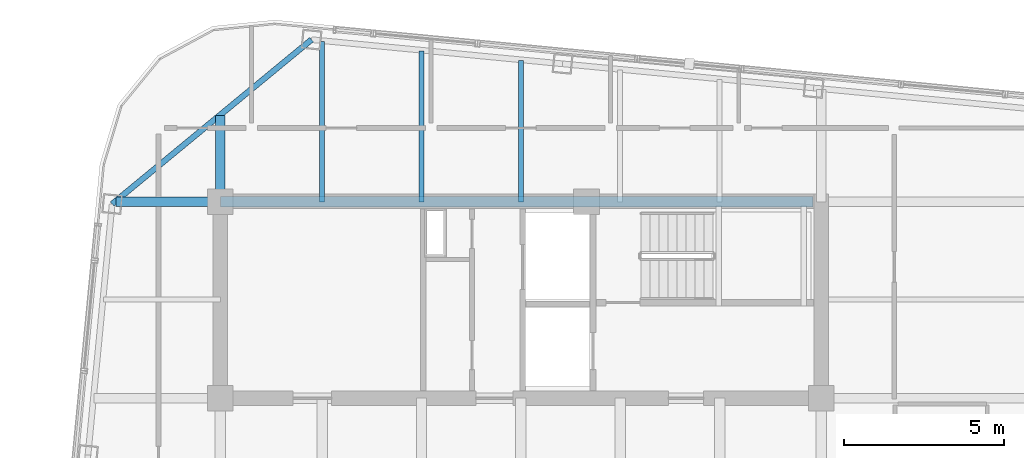
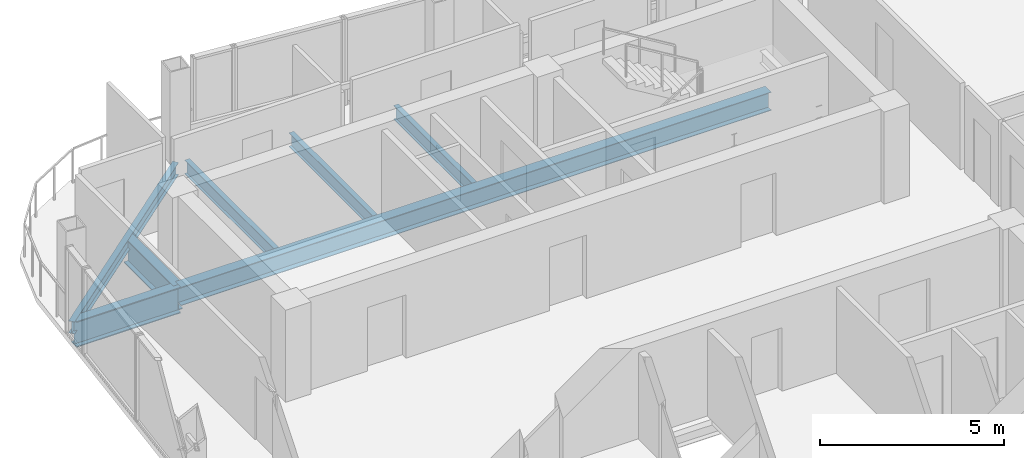
# One storey, part 16 of 27: 7 beams.
"""IFC4 building model written with IfcOpenShell, lengths in metres."""

import ifcopenshell
import ifcopenshell.guid

model = None  # the IFC model being written
_history = None  # IfcOwnerHistory: only IFC2X3 demands one
_inside = {}  # id of a spatial element -> (the spatial element, [elements in it])
_under = {}  # id of a project, library or spatial element -> (it, [spatial elements below it])
_declared = {}  # id of a project -> (the project, [libraries it declares])
_typed = {}  # id of a type object -> (the type object, [elements of that type])
_made_of = {}  # id of a material, layer set ... -> (it, [elements and type objects made of it])


def new_model(schema):
    """Start an empty IFC model of exactly this schema.

    Asked for "IFC4X3", IfcOpenShell would pick the latest addendum, in which some entities
    have other attributes; the version numbers below select the first issue.
    IFC2X3 requires an IfcOwnerHistory on every rooted entity: one is made here for all.
    """
    global model, _history
    if schema == "IFC4X3":
        model = ifcopenshell.file(schema_version=(4, 3, 0, 0))
    else:
        model = ifcopenshell.file(schema=schema)
    _inside.clear()
    _under.clear()
    _declared.clear()
    _typed.clear()
    _made_of.clear()
    _history = None
    if model.schema == "IFC2X3":
        org = make("IfcOrganization", Name="unknown")
        user = make(
            "IfcPersonAndOrganization",
            ThePerson=make("IfcPerson", FamilyName="unknown"),
            TheOrganization=org,
        )
        app = make(
            "IfcApplication",
            ApplicationDeveloper=org,
            Version="unknown",
            ApplicationFullName="unknown",
            ApplicationIdentifier="unknown",
        )
        _history = make(
            "IfcOwnerHistory",
            OwningUser=user,
            OwningApplication=app,
            ChangeAction="ADDED",
            CreationDate=0,
        )
    return model


def make(cls, **values):
    """One entity of the class cls with the attributes given. An attribute that is None is left unset."""
    return model.create_entity(
        cls, **{name: value for name, value in values.items() if value is not None}
    )


def rooted(cls, **values):
    """An entity with a GlobalId (a new one), such as an element, a storey or a relation."""
    return make(cls, GlobalId=ifcopenshell.guid.new(), OwnerHistory=_history, **values)


def si_unit(unit_type, name, prefix=None):
    """IfcSIUnit, for example si_unit("LENGTHUNIT", "METRE", prefix="MILLI")."""
    return make("IfcSIUnit", UnitType=unit_type, Prefix=prefix, Name=name)


def assignment(units):
    """IfcUnitAssignment: the units of a project."""
    return None if units is None else make("IfcUnitAssignment", Units=units)


def point(xyz):
    """IfcCartesianPoint."""
    return None if xyz is None else make("IfcCartesianPoint", Coordinates=xyz)


def direction(xyz):
    """IfcDirection."""
    return None if xyz is None else make("IfcDirection", DirectionRatios=xyz)


def frame(location, z_axis=None, x_axis=None):
    """IfcAxis2Placement3D, a coordinate frame: its origin and axes. An axis left out is left unset."""
    return make(
        "IfcAxis2Placement3D",
        Location=point(location),
        Axis=direction(z_axis),
        RefDirection=direction(x_axis),
    )


def frame_2d(location, x_axis=None):
    """IfcAxis2Placement2D, a coordinate frame in the plane: its origin and x axis."""
    return make(
        "IfcAxis2Placement2D", Location=point(location), RefDirection=direction(x_axis)
    )


def origin():
    """The frame at (0, 0, 0) with its axes left unset."""
    return frame((0.0, 0.0, 0.0))


def origin_2d():
    """The frame at (0, 0) in the plane with its x axis left unset."""
    return frame_2d((0.0, 0.0))


def place(relative_to, where):
    """IfcLocalPlacement: puts the frame where relative to a parent placement (None: the world)."""
    return make(
        "IfcLocalPlacement", PlacementRelTo=relative_to, RelativePlacement=where
    )


def context(
    kind, dimensions, precision=None, world=None, true_north=None, identifier=None
):
    """IfcGeometricRepresentationContext, for example the 3D "Model" context."""
    return make(
        "IfcGeometricRepresentationContext",
        ContextIdentifier=identifier,
        ContextType=kind,
        CoordinateSpaceDimension=dimensions,
        Precision=precision,
        WorldCoordinateSystem=world,
        TrueNorth=true_north,
    )


def subcontext(parent, identifier, kind, view, scale=None):
    """IfcGeometricRepresentationSubContext, for example "Body" below "Model"."""
    return make(
        "IfcGeometricRepresentationSubContext",
        ContextIdentifier=identifier,
        ContextType=kind,
        ParentContext=parent,
        TargetScale=scale,
        TargetView=view,
    )


def project(units=None, contexts=None):
    """IfcProject with its units and contexts."""
    return rooted(
        "IfcProject",
        Name="project",
        RepresentationContexts=contexts,
        UnitsInContext=assignment(units),
    )


def spatial(cls, under=None, at=None, **own):
    """A site, building, storey or space (cls), placed at a placement, below another one or the project."""
    s = rooted(cls, ObjectPlacement=at, **own)
    if under is not None:
        _under.setdefault(under.id(), (under, []))[1].append(s)
    return s


def profile(cls, at=None, kind="AREA", **sizes):
    """A parametric profile (cls). Its sizes go by their IFC names, for example OverallWidth=200.0."""
    return make(cls, ProfileType=kind, Position=at, **sizes)


def i_section(**sizes):
    """IfcIShapeProfileDef."""
    return profile("IfcIShapeProfileDef", **sizes)


def extrude(swept, where, along, depth):
    """IfcExtrudedAreaSolid: the profile swept, set in the frame where, extruded along a direction by depth."""
    return make(
        "IfcExtrudedAreaSolid",
        SweptArea=swept,
        Position=where,
        ExtrudedDirection=direction(along),
        Depth=depth,
    )


def shape(context_of_items, identifier, shape_type, items):
    """IfcShapeRepresentation: the items that make up one representation, for example the "Body"."""
    return make(
        "IfcShapeRepresentation",
        ContextOfItems=context_of_items,
        RepresentationIdentifier=identifier,
        RepresentationType=shape_type,
        Items=items,
    )


def material(Name=None, Category=None):
    """IfcMaterial."""
    return make("IfcMaterial", Name=Name, Category=Category)


def material_profile(
    of_material, cross_section, Name=None, Category=None, Priority=None
):
    """IfcMaterialProfile: a cross section and its material."""
    return make(
        "IfcMaterialProfile",
        Name=Name,
        Material=of_material,
        Profile=cross_section,
        Priority=Priority,
        Category=Category,
    )


def profile_set(profiles, Name=None, composite=None):
    """IfcMaterialProfileSet."""
    return make(
        "IfcMaterialProfileSet",
        Name=Name,
        MaterialProfiles=profiles,
        CompositeProfile=composite,
    )


def made_of(thing, what):
    """Note that an element or type object is made of a material, layer set ...; save() writes the relation."""
    if what is not None:
        _made_of.setdefault(what.id(), (what, []))[1].append(thing)
    return thing


def type_object(cls, material=None, **own):
    """A type object (cls), such as IfcWallType, which elements share."""
    return made_of(rooted(cls, **own), material)


def element(
    cls,
    number,
    at=None,
    inside=None,
    cuts=None,
    type_object=None,
    material=None,
    context=None,
    identifier="Body",
    shape_type=None,
    held_by="IfcProductDefinitionShape",
    body=None,
    shapes=None,
    **own,
):
    """One element of the class cls, such as IfcWall. Its Tag is "e" and its number.

    at: its placement. inside: the storey or other place that contains it. cuts: it is an
    opening in that element (IfcRelVoidsElement). A single representation is given by context,
    identifier, shape_type and body (its items); several are given by shapes. held_by: the class
    of the entity that holds the representations. save() writes the other relations.
    """
    e = rooted(cls, Tag="e%d" % number, ObjectPlacement=at, **own)
    if body is not None:
        shapes = [shape(context, identifier, shape_type, body)]
    if shapes is not None:
        e.Representation = make(held_by, Representations=shapes)
    if inside is not None:
        _inside.setdefault(inside.id(), (inside, []))[1].append(e)
    if cuts is not None:
        rooted(
            "IfcRelVoidsElement", RelatingBuildingElement=cuts, RelatedOpeningElement=e
        )
    if type_object is not None:
        _typed.setdefault(type_object.id(), (type_object, []))[1].append(e)
    return made_of(e, material)


def aggregate(whole, parts):
    """IfcRelAggregates: a whole, such as a stair, and the parts it consists of."""
    return rooted("IfcRelAggregates", RelatingObject=whole, RelatedObjects=parts)


def save(model, path):
    """Write the relations noted so far, then the file.

    IfcRelAggregates (storeys below a building ...), IfcRelContainedInSpatialStructure (elements
    in a storey), IfcRelDefinesByType, IfcRelAssociatesMaterial and IfcRelDeclares: one each for
    every whole, place, type object, material and project.
    """
    for whole, parts in _under.values():
        aggregate(whole, parts)
    for where, things in _inside.values():
        rooted(
            "IfcRelContainedInSpatialStructure",
            RelatedElements=things,
            RelatingStructure=where,
        )
    for kind, things in _typed.values():
        rooted("IfcRelDefinesByType", RelatedObjects=things, RelatingType=kind)
    for what, things in _made_of.values():
        rooted("IfcRelAssociatesMaterial", RelatedObjects=things, RelatingMaterial=what)
    for by, libraries in _declared.values():
        rooted("IfcRelDeclares", RelatingContext=by, RelatedDefinitions=libraries)
    model.write(path)


model = new_model("IFC4")

# Units and contexts
model_context = context("Model", 3, precision=1e-05, world=origin(), true_north=direction((0.0, 1.0)))
body_context = subcontext(model_context, "Body", "Model", "MODEL_VIEW")
ifc_project = project(units=[si_unit("LENGTHUNIT", "METRE"), si_unit("AREAUNIT", "SQUARE_METRE"), si_unit("VOLUMEUNIT", "CUBIC_METRE"), si_unit("PLANEANGLEUNIT", "RADIAN"), si_unit("MASSUNIT", "GRAM", prefix="KILO")], contexts=[model_context])

# Site, building, storey
site_placement = place(None, origin())
site = spatial("IfcSite", under=ifc_project, at=site_placement, CompositionType="ELEMENT")
building_placement = place(site_placement, origin())
building = spatial("IfcBuilding", under=site, at=building_placement, Name="Qhalaya Broadcast Tower", CompositionType="ELEMENT")
storey_placement = place(building_placement, frame((0.0, 0.0, 258.10009765625)))
storey = spatial("IfcBuildingStorey", under=building, at=storey_placement, Name="L76", CompositionType="ELEMENT", Elevation=258.10009765625)

# Beams
ifc_material = material(Name="Structural Steel ASTM A992 Grade 50", Category="steel")
ifc_material_profile_1 = material_profile(ifc_material, i_section(OverallWidth=0.154052734375, OverallDepth=0.458984375, WebThickness=0.009033203125, FlangeThickness=0.015380859375, at=origin_2d()), Name="W18X46")
ifc_profile_set_1 = profile_set([ifc_material_profile_1], Name="Structural Steel ASTM A992 Grade 50")
beam_type_1 = type_object("IfcBeamType", Name="Composite Floor Joist J04", PredefinedType="JOIST", material=ifc_profile_set_1)
beam_1_placement = place(storey_placement, frame((-6.199951171875, 9.949951171875, -0.419677734375), z_axis=(0.0, 1.0, 0.0), x_axis=(-1.0, 0.0, 0.0)))
element("IfcBeam", 1, at=beam_1_placement, inside=storey, type_object=beam_type_1, Name="L76 J04 L76-JNN1-1", PredefinedType="JOIST", context=body_context, shape_type="SweptSolid", body=[
    extrude(i_section(OverallWidth=0.154052734375, OverallDepth=0.458984375, WebThickness=0.009033203125, FlangeThickness=0.015380859375, at=origin_2d()), origin(), (0.0, 0.0, 1.0), 5.0087890625),
])
beam_2_placement = place(storey_placement, frame((-3.10009765625, 9.949951171875, -0.419677734375), z_axis=(0.0, 1.0, 0.0), x_axis=(-1.0, 0.0, 0.0)))
element("IfcBeam", 2, at=beam_2_placement, inside=storey, type_object=beam_type_1, Name="L76 J04 L76-JNN2-1", PredefinedType="JOIST", context=body_context, shape_type="SweptSolid", body=[
    extrude(i_section(OverallWidth=0.154052734375, OverallDepth=0.458984375, WebThickness=0.009033203125, FlangeThickness=0.015380859375, at=origin_2d()), origin(), (0.0, 0.0, 1.0), 4.710205078125),
])
beam_3_placement = place(storey_placement, frame((0.0, 9.949951171875, -0.419677734375), z_axis=(0.0, 1.0, 0.0), x_axis=(-1.0, 0.0, 0.0)))
element("IfcBeam", 3, at=beam_3_placement, inside=storey, type_object=beam_type_1, Name="L76 J04 L76-JNN3-1", PredefinedType="JOIST", context=body_context, shape_type="SweptSolid", body=[
    extrude(i_section(OverallWidth=0.154052734375, OverallDepth=0.458984375, WebThickness=0.009033203125, FlangeThickness=0.015380859375, at=origin_2d()), origin(), (0.0, 0.0, 1.0), 4.411865234375),
])
ifc_material_profile_2 = material_profile(ifc_material, i_section(OverallWidth=0.323974609375, OverallDepth=0.612060546875, WebThickness=0.0126953125, FlangeThickness=0.01904296875, at=origin_2d()), Name="W24X104")
ifc_profile_set_2 = profile_set([ifc_material_profile_2], Name="Structural Steel ASTM A992 Grade 50")
beam_type_2 = type_object("IfcBeamType", Name="Core Frame Tie Beam B04", PredefinedType="BEAM", material=ifc_profile_set_2)
beam_4_placement = place(storey_placement, frame((-9.375, 9.949951171875, -0.49609375), z_axis=(1.0, 0.0, 0.0), x_axis=(0.0, 1.0, 0.0)))
element("IfcBeam", 4, at=beam_4_placement, inside=storey, type_object=beam_type_2, Name="L76 B04 L76-CCN3", PredefinedType="BEAM", context=body_context, shape_type="SweptSolid", body=[
    extrude(i_section(OverallWidth=0.323974609375, OverallDepth=0.612060546875, WebThickness=0.0126953125, FlangeThickness=0.01904296875, at=origin_2d()), origin(), (0.0, 0.0, 1.0), 18.4951171875),
])
ifc_material_profile_3 = material_profile(ifc_material, i_section(OverallWidth=0.2919921875, OverallDepth=0.85888671875, WebThickness=0.01708984375, FlangeThickness=0.031005859375, at=origin_2d()), Name="W33X169")
ifc_profile_set_3 = profile_set([ifc_material_profile_3], Name="Structural Steel ASTM A992 Grade 50")
beam_type_3 = type_object("IfcBeamType", Name="Upper Block Primary Girder PG4", PredefinedType="USERDEFINED", material=ifc_profile_set_3)
beam_5_placement = place(storey_placement, frame((-9.375, 9.949951171875, -0.61962890625), z_axis=(0.0, 1.0, 0.0), x_axis=(-1.0, 0.0, 0.0)))
element("IfcBeam", 5, at=beam_5_placement, inside=storey, type_object=beam_type_3, Name="L76 PG4 L76-PGXN1-1", ObjectType="GIRDER", PredefinedType="USERDEFINED", context=body_context, shape_type="SweptSolid", body=[
    extrude(i_section(OverallWidth=0.2919921875, OverallDepth=0.85888671875, WebThickness=0.01708984375, FlangeThickness=0.031005859375, at=origin_2d()), origin(), (0.0, 0.0, 1.0), 2.68798828125),
])
beam_6_placement = place(storey_placement, frame((-12.6357421875, 9.949951171875, -0.61962890625), z_axis=(1.0, 0.0, 0.0), x_axis=(0.0, 1.0, 0.0)))
element("IfcBeam", 6, at=beam_6_placement, inside=storey, type_object=beam_type_3, Name="L76 PG4 L76-PGYW4-1", ObjectType="GIRDER", PredefinedType="USERDEFINED", context=body_context, shape_type="SweptSolid", body=[
    extrude(i_section(OverallWidth=0.2919921875, OverallDepth=0.85888671875, WebThickness=0.01708984375, FlangeThickness=0.031005859375, at=origin_2d()), origin(), (0.0, 0.0, 1.0), 3.2607421875),
])
ifc_material_profile_4 = material_profile(ifc_material, i_section(OverallWidth=0.177978515625, OverallDepth=0.406005859375, WebThickness=0.0078125, FlangeThickness=0.0126953125, at=origin_2d()), Name="W16X40")
ifc_profile_set_4 = profile_set([ifc_material_profile_4], Name="Structural Steel ASTM A992 Grade 50")
beam_type_4 = type_object("IfcBeamType", Name="Upper Perimeter Spandrel Beam SP2", PredefinedType="SPANDREL", material=ifc_profile_set_4)
beam_7_placement = place(storey_placement, frame((-6.5283203125, 15.010498046875, -0.39306640625), z_axis=(-0.771631160126, -0.636070241972, 0.0), x_axis=(0.636070241972, -0.771631160126, 0.0)))
element("IfcBeam", 7, at=beam_7_placement, inside=storey, type_object=beam_type_4, Name="L76 SP2 L76-SPR-12", PredefinedType="SPANDREL", context=body_context, shape_type="SweptSolid", body=[
    extrude(i_section(OverallWidth=0.177978515625, OverallDepth=0.406005859375, WebThickness=0.0078125, FlangeThickness=0.0126953125, at=origin_2d()), origin(), (0.0, 0.0, 1.0), 8.06103515625),
])

save(model, "model.ifc")
